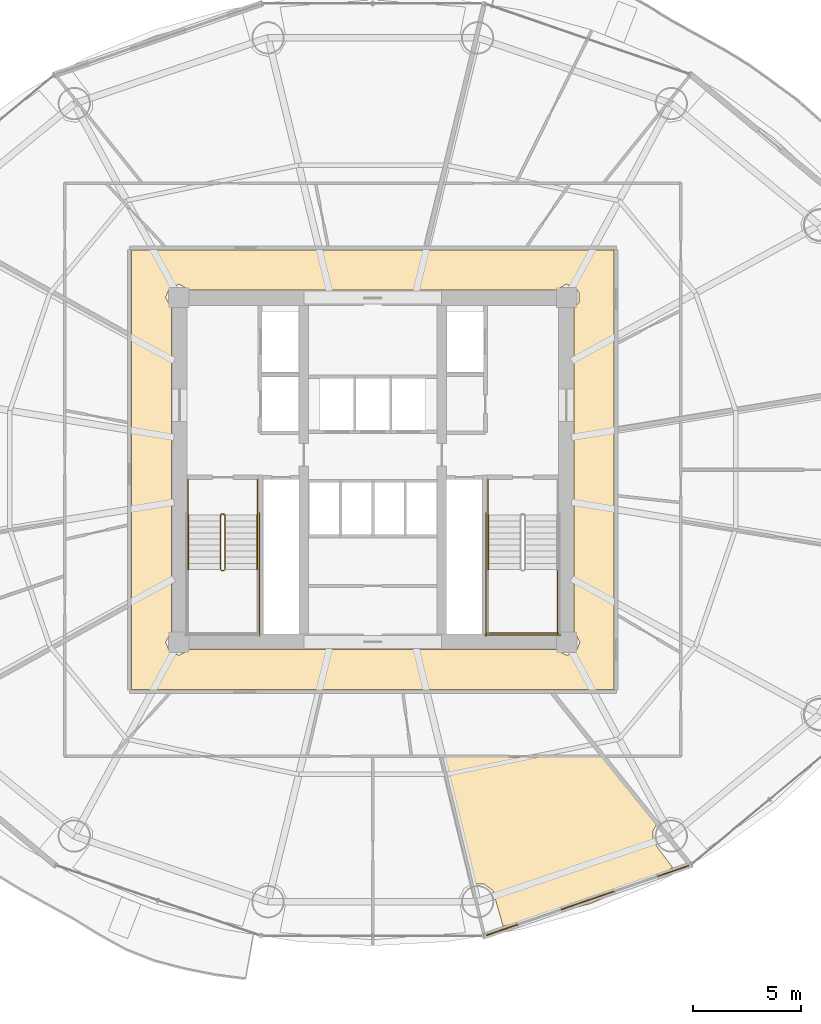
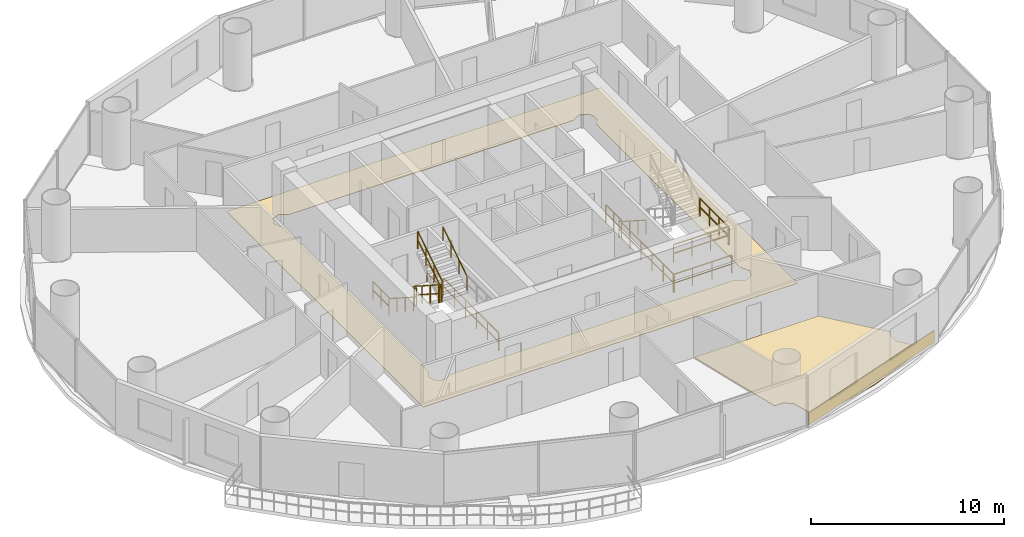
# One storey, part 27 of 29: 15 railings, 3 coverings.
"""IFC4 building model written with IfcOpenShell, lengths in metres."""

from ifc_helpers import new_model, si_unit, direction, frame, origin, origin_2d, place, context, subcontext, project, spatial, polyline, rectangle, outline, extrude, source, transform, mapped, material, layer, layer_set, type_object, element, save


model = new_model("IFC4")

# Units and contexts
model_context = context("Model", 3, precision=1e-05, world=origin(), true_north=direction((-0.2419218956, 0.970295726276)))
body_context = subcontext(model_context, "Body", "Model", "MODEL_VIEW")
ifc_project = project(units=[si_unit("LENGTHUNIT", "METRE"), si_unit("AREAUNIT", "SQUARE_METRE"), si_unit("VOLUMEUNIT", "CUBIC_METRE"), si_unit("PLANEANGLEUNIT", "RADIAN"), si_unit("MASSUNIT", "GRAM", prefix="KILO")], contexts=[model_context])

# Site, building, storey
site_placement = place(None, origin())
site = spatial("IfcSite", under=ifc_project, at=site_placement, CompositionType="ELEMENT")
building_placement = place(site_placement, origin())
building = spatial("IfcBuilding", under=site, at=building_placement, Name="Cobrevalo Terracotta Tower", CompositionType="ELEMENT")
storey_placement = place(building_placement, frame((0.0, 0.0, 123.0)))
storey = spatial("IfcBuildingStorey", under=building, at=storey_placement, Name="L32", CompositionType="ELEMENT", Elevation=123.0)

# Coverings
ifc_material_1 = material(Name="Engineered Brazilian hardwood flooring", Category="wood")
ifc_layer_1 = layer(ifc_material_1, 0.028076171875)
ifc_layer_set_1 = layer_set([ifc_layer_1], Name="Engineered Brazilian hardwood flooring")
covering_type_1 = type_object("IfcCoveringType", Name="Engineered Hardwood Suite Flooring 28", PredefinedType="FLOORING", material=ifc_layer_set_1)
covering_1_placement = place(storey_placement, origin())
element("IfcCovering", 1, at=covering_1_placement, inside=storey, type_object=covering_type_1, Name="Flat L32D Penthouse Family Lounge floor finish", PredefinedType="FLOORING", context=body_context, shape_type="SweptSolid", body=[
    extrude(outline(polyline([(44.05078125, 5.59814453125), (43.578125, 7.261962890625), (43.170166015625, 7.5693359375), (42.62109375, 7.584716796875), (41.210693359375, 13.47509765625), (48.690673828125, 13.47509765625), (51.193359375, 10.36328125), (51.02001953125, 10.0546875), (51.0185546875, 9.543701171875), (51.92431640625, 8.32666015625), (51.161376953125, 7.904052734375), (48.073486328125, 6.641357421875), (44.05078125, 5.59814453125)])), origin(), (0.0, 0.0, 1.0), 0.030029296875),
])
ifc_material_2 = material(Name="Honed terracotta and granite tile", Category="masonry")
ifc_layer_2 = layer(ifc_material_2, 0.034912109375)
ifc_layer_set_2 = layer_set([ifc_layer_2], Name="Honed terracotta and granite tile")
covering_type_2 = type_object("IfcCoveringType", Name="Honed Terracotta & Granite Interior Flooring 35", PredefinedType="FLOORING", material=ifc_layer_set_2)
covering_2_placement = place(storey_placement, origin())
element("IfcCovering", 2, at=covering_2_placement, inside=storey, type_object=covering_type_2, Name="L32 Residential Floor Corridor floor finish", PredefinedType="FLOORING", context=body_context, shape_type="SweptSolid", body=[
    extrude(outline(polyline([(49.205078125, 37.0048828125), (49.205078125, 16.594970703125), (26.794921875, 16.594970703125), (26.794921875, 37.0048828125), (49.205078125, 37.0048828125)]), holes=[polyline([(47.344970703125, 34.298828125), (47.5732421875, 34.5625), (47.5732421875, 35.037353515625), (47.438720703125, 35.23876953125), (47.0, 35.42041015625), (46.498779296875, 35.14501953125), (29.501220703125, 35.14501953125), (29.0, 35.42041015625), (28.561279296875, 35.23876953125), (28.379638671875, 34.800048828125), (28.655029296875, 34.298828125), (28.655029296875, 19.30126953125), (28.379638671875, 18.800048828125), (28.561279296875, 18.361328125), (29.0, 18.1796875), (29.501220703125, 18.455078125), (46.498779296875, 18.455078125), (47.0, 18.1796875), (47.438720703125, 18.361328125), (47.620361328125, 18.800048828125), (47.344970703125, 19.30126953125), (47.344970703125, 34.298828125)])]), origin(), (0.0, 0.0, 1.0), 0.030029296875),
])

# Railings
ifc_material_3 = material(Name="Brushed stainless steel", Category="steel")
railing_type_1 = type_object("IfcRailingType", Name="Stainless Steel Stair Handrail 900", PredefinedType="HANDRAIL", material=ifc_material_3)
railing_1_placement = place(storey_placement, frame((29.425048828125, 24.699951171875, 0.179931640625)))
element("IfcRailing", 3, at=railing_1_placement, inside=storey, type_object=railing_type_1, Name="L32 ST-1 stair handrail 1", PredefinedType="HANDRAIL", context=body_context, shape_type="SweptSolid", body=[
    extrude(rectangle(XDim=0.048095703125, YDim=0.048095703125, at=origin_2d()), frame((0.0, 0.0, 0.8759765625), z_axis=(0.0, -0.841162588446, 0.540782303519), x_axis=(1.0, 0.0, 0.0)), (0.0, 0.0, 1.0), 2.995849609375),
    extrude(rectangle(XDim=0.0419921875, YDim=0.0419921875, at=origin_2d()), origin(), (0.0, 0.0, 1.0), 0.851806640625),
    extrude(rectangle(XDim=0.0419921875, YDim=0.0419921875, at=origin_2d()), frame((0.0, -0.840087890625, 0.5400390625)), (0.0, 0.0, 1.0), 0.851806640625),
    extrude(rectangle(XDim=0.0419921875, YDim=0.0419921875, at=origin_2d()), frame((0.0, -1.679931640625, 1.080078125)), (0.0, 0.0, 1.0), 0.851806640625),
    extrude(rectangle(XDim=0.0419921875, YDim=0.0419921875, at=origin_2d()), frame((0.0, -2.52001953125, 1.6201171875)), (0.0, 0.0, 1.0), 0.851806640625),
])
railing_2_placement = place(storey_placement, frame((32.64501953125, 22.179931640625, 1.97998046875)))
element("IfcRailing", 4, at=railing_2_placement, inside=storey, type_object=railing_type_1, Name="L32 ST-1 stair handrail 2", PredefinedType="HANDRAIL", context=body_context, shape_type="SweptSolid", body=[
    extrude(rectangle(XDim=0.048095703125, YDim=0.048095703125, at=origin_2d()), frame((0.0, 0.0, 0.8759765625), z_axis=(0.0, 0.841162588446, 0.540782303519), x_axis=(-1.0, 0.0, 0.0)), (0.0, 0.0, 1.0), 2.995849609375),
    extrude(rectangle(XDim=0.0419921875, YDim=0.0419921875, at=origin_2d()), origin(), (0.0, 0.0, 1.0), 0.851806640625),
    extrude(rectangle(XDim=0.0419921875, YDim=0.0419921875, at=origin_2d()), frame((0.0, 0.840087890625, 0.5400390625)), (0.0, 0.0, 1.0), 0.851806640625),
    extrude(rectangle(XDim=0.0419921875, YDim=0.0419921875, at=origin_2d()), frame((0.0, 1.679931640625, 1.080078125)), (0.0, 0.0, 1.0), 0.851806640625),
    extrude(rectangle(XDim=0.0419921875, YDim=0.0419921875, at=origin_2d()), frame((0.0, 2.52001953125, 1.6201171875)), (0.0, 0.0, 1.0), 0.851806640625),
])
railing_3_placement = place(storey_placement, frame((43.35498046875, 24.699951171875, 0.179931640625)))
element("IfcRailing", 5, at=railing_3_placement, inside=storey, type_object=railing_type_1, Name="L32 ST-2 stair handrail 1", PredefinedType="HANDRAIL", context=body_context, shape_type="SweptSolid", body=[
    extrude(rectangle(XDim=0.048095703125, YDim=0.048095703125, at=origin_2d()), frame((0.0, 0.0, 0.8759765625), z_axis=(0.0, -0.841162588446, 0.540782303519), x_axis=(1.0, 0.0, 0.0)), (0.0, 0.0, 1.0), 2.995849609375),
    extrude(rectangle(XDim=0.0419921875, YDim=0.0419921875, at=origin_2d()), origin(), (0.0, 0.0, 1.0), 0.851806640625),
    extrude(rectangle(XDim=0.0419921875, YDim=0.0419921875, at=origin_2d()), frame((0.0, -0.840087890625, 0.5400390625)), (0.0, 0.0, 1.0), 0.851806640625),
    extrude(rectangle(XDim=0.0419921875, YDim=0.0419921875, at=origin_2d()), frame((0.0, -1.679931640625, 1.080078125)), (0.0, 0.0, 1.0), 0.851806640625),
    extrude(rectangle(XDim=0.0419921875, YDim=0.0419921875, at=origin_2d()), frame((0.0, -2.52001953125, 1.6201171875)), (0.0, 0.0, 1.0), 0.851806640625),
])
ifc_material_4 = material(Name="Painted galvanized steel", Category="steel")
railing_type_2 = type_object("IfcRailingType", Name="Stair Well Guard Balustrade 1150", PredefinedType="GUARDRAIL", material=ifc_material_4)
railing_4_placement = place(storey_placement, frame((30.925048828125, 24.699951171875, 0.179931640625)))
element("IfcRailing", 6, at=railing_4_placement, inside=storey, type_object=railing_type_2, Name="L32 ST-1 stair guard 1", PredefinedType="GUARDRAIL", context=body_context, shape_type="SweptSolid", body=[
    extrude(rectangle(XDim=0.048095703125, YDim=0.048095703125, at=origin_2d()), frame((0.0, 0.0, 1.1259765625), z_axis=(0.0, -0.841162588446, 0.540782303519), x_axis=(1.0, 0.0, 0.0)), (0.0, 0.0, 1.0), 2.995849609375),
    extrude(rectangle(XDim=0.048095703125, YDim=0.048095703125, at=origin_2d()), frame((0.0, 0.0, 0.574951171875), z_axis=(0.0, -0.841162588446, 0.540782303519), x_axis=(1.0, 0.0, 0.0)), (0.0, 0.0, 1.0), 2.995849609375),
    extrude(rectangle(XDim=0.0419921875, YDim=0.0419921875, at=origin_2d()), origin(), (0.0, 0.0, 1.0), 1.101806640625),
    extrude(rectangle(XDim=0.0419921875, YDim=0.0419921875, at=origin_2d()), frame((0.0, -0.840087890625, 0.5400390625)), (0.0, 0.0, 1.0), 1.101806640625),
    extrude(rectangle(XDim=0.0419921875, YDim=0.0419921875, at=origin_2d()), frame((0.0, -1.679931640625, 1.080078125)), (0.0, 0.0, 1.0), 1.101806640625),
    extrude(rectangle(XDim=0.0419921875, YDim=0.0419921875, at=origin_2d()), frame((0.0, -2.52001953125, 1.6201171875)), (0.0, 0.0, 1.0), 1.101806640625),
])
railing_5_placement = place(storey_placement, frame((30.97509765625, 22.1298828125, 1.800048828125)))
element("IfcRailing", 7, at=railing_5_placement, inside=storey, type_object=railing_type_2, Name="L32 ST-1 stair guard 2", PredefinedType="GUARDRAIL", context=body_context, shape_type="SweptSolid", body=[
    extrude(rectangle(XDim=0.048095703125, YDim=0.048095703125, at=origin_2d()), frame((0.0, 0.0, 1.1259765625), z_axis=(1.0, 0.0, 0.0), x_axis=(0.0, 1.0, 0.0)), (0.0, 0.0, 1.0), 0.119873046875),
    extrude(rectangle(XDim=0.048095703125, YDim=0.048095703125, at=origin_2d()), frame((0.0, 0.0, 0.574951171875), z_axis=(1.0, 0.0, 0.0), x_axis=(0.0, 1.0, 0.0)), (0.0, 0.0, 1.0), 0.119873046875),
    extrude(rectangle(XDim=0.0419921875, YDim=0.0419921875, at=origin_2d()), origin(), (0.0, 0.0, 1.0), 1.101806640625),
    extrude(rectangle(XDim=0.0419921875, YDim=0.0419921875, at=origin_2d()), frame((0.119873046875, 0.0, 0.0)), (0.0, 0.0, 1.0), 1.101806640625),
])
railing_6_placement = place(storey_placement, frame((31.14501953125, 22.179931640625, 1.97998046875)))
element("IfcRailing", 8, at=railing_6_placement, inside=storey, type_object=railing_type_2, Name="L32 ST-1 stair guard 6", PredefinedType="GUARDRAIL", context=body_context, shape_type="SweptSolid", body=[
    extrude(rectangle(XDim=0.048095703125, YDim=0.048095703125, at=origin_2d()), frame((0.0, 0.0, 1.1259765625), z_axis=(0.0, 0.841162588446, 0.540782303519), x_axis=(-1.0, 0.0, 0.0)), (0.0, 0.0, 1.0), 2.995849609375),
    extrude(rectangle(XDim=0.048095703125, YDim=0.048095703125, at=origin_2d()), frame((0.0, 0.0, 0.574951171875), z_axis=(0.0, 0.841162588446, 0.540782303519), x_axis=(-1.0, 0.0, 0.0)), (0.0, 0.0, 1.0), 2.995849609375),
    extrude(rectangle(XDim=0.0419921875, YDim=0.0419921875, at=origin_2d()), origin(), (0.0, 0.0, 1.0), 1.101806640625),
    extrude(rectangle(XDim=0.0419921875, YDim=0.0419921875, at=origin_2d()), frame((0.0, 0.840087890625, 0.5400390625)), (0.0, 0.0, 1.0), 1.101806640625),
    extrude(rectangle(XDim=0.0419921875, YDim=0.0419921875, at=origin_2d()), frame((0.0, 1.679931640625, 1.080078125)), (0.0, 0.0, 1.0), 1.101806640625),
    extrude(rectangle(XDim=0.0419921875, YDim=0.0419921875, at=origin_2d()), frame((0.0, 2.52001953125, 1.6201171875)), (0.0, 0.0, 1.0), 1.101806640625),
])
railing_7_placement = place(storey_placement, frame((30.97509765625, 24.75, 0.0)))
element("IfcRailing", 9, at=railing_7_placement, inside=storey, type_object=railing_type_2, Name="L32 ST-1 stair guard 7", PredefinedType="GUARDRAIL", context=body_context, shape_type="SweptSolid", body=[
    extrude(rectangle(XDim=0.048095703125, YDim=0.048095703125, at=origin_2d()), frame((0.0, 0.0, 1.1259765625), z_axis=(1.0, 0.0, 0.0), x_axis=(0.0, 1.0, 0.0)), (0.0, 0.0, 1.0), 0.119873046875),
    extrude(rectangle(XDim=0.048095703125, YDim=0.048095703125, at=origin_2d()), frame((0.0, 0.0, 0.574951171875), z_axis=(1.0, 0.0, 0.0), x_axis=(0.0, 1.0, 0.0)), (0.0, 0.0, 1.0), 0.119873046875),
    extrude(rectangle(XDim=0.0419921875, YDim=0.0419921875, at=origin_2d()), origin(), (0.0, 0.0, 1.0), 1.101806640625),
    extrude(rectangle(XDim=0.0419921875, YDim=0.0419921875, at=origin_2d()), frame((0.119873046875, 0.0, 0.0)), (0.0, 0.0, 1.0), 1.101806640625),
])
for number, where, name in (
    (10, (29.425048828125, 26.35009765625, 0.0), "L32 ST-1 stair guard 8"),
    (11, (32.64501953125, 26.35009765625, 0.0), "L32 ST-1 stair guard 9"),
):
    element("IfcRailing", number, at=place(storey_placement, frame(where)), inside=storey, type_object=railing_type_2, Name=name, PredefinedType="GUARDRAIL", context=body_context, shape_type="SweptSolid", body=[
        extrude(rectangle(XDim=0.048095703125, YDim=0.048095703125, at=origin_2d()), frame((0.0, 0.0, 1.1259765625), z_axis=(0.0, -1.0, 0.0), x_axis=(1.0, 0.0, 0.0)), (0.0, 0.0, 1.0), 1.650146484375),
        extrude(rectangle(XDim=0.048095703125, YDim=0.048095703125, at=origin_2d()), frame((0.0, 0.0, 0.574951171875), z_axis=(0.0, -1.0, 0.0), x_axis=(1.0, 0.0, 0.0)), (0.0, 0.0, 1.0), 1.650146484375),
        extrude(rectangle(XDim=0.0419921875, YDim=0.0419921875, at=origin_2d()), origin(), (0.0, 0.0, 1.0), 1.101806640625),
        extrude(rectangle(XDim=0.0419921875, YDim=0.0419921875, at=origin_2d()), frame((0.0, -0.8251953125, 0.0)), (0.0, 0.0, 1.0), 1.101806640625),
        extrude(rectangle(XDim=0.0419921875, YDim=0.0419921875, at=origin_2d()), frame((0.0, -1.650146484375, 0.0)), (0.0, 0.0, 1.0), 1.101806640625),
    ])
railing_8_placement = place(storey_placement, frame((32.7451171875, 24.800048828125, 0.0)))
element("IfcRailing", 12, at=railing_8_placement, inside=storey, type_object=railing_type_2, Name="L32 ST-1 stair guard 11", PredefinedType="GUARDRAIL", context=body_context, shape_type="SweptSolid", body=[
    extrude(rectangle(XDim=0.048095703125, YDim=0.048095703125, at=origin_2d()), frame((0.0, 0.0, 1.1259765625), z_axis=(0.0, -1.0, 0.0), x_axis=(1.0, 0.0, 0.0)), (0.0, 0.0, 1.0), 5.72509765625),
    extrude(rectangle(XDim=0.048095703125, YDim=0.048095703125, at=origin_2d()), frame((0.0, 0.0, 0.574951171875), z_axis=(0.0, -1.0, 0.0), x_axis=(1.0, 0.0, 0.0)), (0.0, 0.0, 1.0), 5.72509765625),
    extrude(rectangle(XDim=0.0419921875, YDim=0.0419921875, at=origin_2d()), origin(), (0.0, 0.0, 1.0), 1.101806640625),
    extrude(rectangle(XDim=0.0419921875, YDim=0.0419921875, at=origin_2d()), frame((0.0, -1.14501953125, 0.0)), (0.0, 0.0, 1.0), 1.101806640625),
    extrude(rectangle(XDim=0.0419921875, YDim=0.0419921875, at=origin_2d()), frame((0.0, -2.2900390625, 0.0)), (0.0, 0.0, 1.0), 1.101806640625),
    extrude(rectangle(XDim=0.0419921875, YDim=0.0419921875, at=origin_2d()), frame((0.0, -3.43505859375, 0.0)), (0.0, 0.0, 1.0), 1.101806640625),
    extrude(rectangle(XDim=0.0419921875, YDim=0.0419921875, at=origin_2d()), frame((0.0, -4.580078125, 0.0)), (0.0, 0.0, 1.0), 1.101806640625),
    extrude(rectangle(XDim=0.0419921875, YDim=0.0419921875, at=origin_2d()), frame((0.0, -5.72509765625, 0.0)), (0.0, 0.0, 1.0), 1.101806640625),
])
railing_9_placement = place(storey_placement, frame((46.574951171875, 22.179931640625, 1.800048828125)))
element("IfcRailing", 13, at=railing_9_placement, inside=storey, type_object=railing_type_2, Name="L32 ST-2 stair guard 4", PredefinedType="GUARDRAIL", context=body_context, shape_type="SweptSolid", body=[
    extrude(rectangle(XDim=0.048095703125, YDim=0.048095703125, at=origin_2d()), frame((0.0, 0.0, 1.1259765625), z_axis=(0.0, -1.0, 0.0), x_axis=(1.0, 0.0, 0.0)), (0.0, 0.0, 1.0), 3.0048828125),
    extrude(rectangle(XDim=0.048095703125, YDim=0.048095703125, at=origin_2d()), frame((0.0, 0.0, 0.574951171875), z_axis=(0.0, -1.0, 0.0), x_axis=(1.0, 0.0, 0.0)), (0.0, 0.0, 1.0), 3.0048828125),
    extrude(rectangle(XDim=0.0419921875, YDim=0.0419921875, at=origin_2d()), origin(), (0.0, 0.0, 1.0), 1.101806640625),
    extrude(rectangle(XDim=0.0419921875, YDim=0.0419921875, at=origin_2d()), frame((0.0, -1.001708984375, 0.0)), (0.0, 0.0, 1.0), 1.101806640625),
    extrude(rectangle(XDim=0.0419921875, YDim=0.0419921875, at=origin_2d()), frame((0.0, -2.003173828125, 0.0)), (0.0, 0.0, 1.0), 1.101806640625),
    extrude(rectangle(XDim=0.0419921875, YDim=0.0419921875, at=origin_2d()), frame((0.0, -3.0048828125, 0.0)), (0.0, 0.0, 1.0), 1.101806640625),
])
railing_10_placement = place(storey_placement, frame((43.304931640625, 19.22509765625, 1.800048828125)))
element("IfcRailing", 14, at=railing_10_placement, inside=storey, type_object=railing_type_2, Name="L32 ST-2 stair guard 5", PredefinedType="GUARDRAIL", context=body_context, shape_type="SweptSolid", body=[
    extrude(rectangle(XDim=0.048095703125, YDim=0.048095703125, at=origin_2d()), frame((0.0, 0.0, 1.1259765625), z_axis=(1.0, 0.0, 0.0), x_axis=(0.0, 1.0, 0.0)), (0.0, 0.0, 1.0), 3.320068359375),
    extrude(rectangle(XDim=0.048095703125, YDim=0.048095703125, at=origin_2d()), frame((0.0, 0.0, 0.574951171875), z_axis=(1.0, 0.0, 0.0), x_axis=(0.0, 1.0, 0.0)), (0.0, 0.0, 1.0), 3.320068359375),
    extrude(rectangle(XDim=0.0419921875, YDim=0.0419921875, at=origin_2d()), origin(), (0.0, 0.0, 1.0), 1.101806640625),
    extrude(rectangle(XDim=0.0419921875, YDim=0.0419921875, at=origin_2d()), frame((1.106689453125, 0.0, 0.0)), (0.0, 0.0, 1.0), 1.101806640625),
    extrude(rectangle(XDim=0.0419921875, YDim=0.0419921875, at=origin_2d()), frame((2.21337890625, 0.0, 0.0)), (0.0, 0.0, 1.0), 1.101806640625),
    extrude(rectangle(XDim=0.0419921875, YDim=0.0419921875, at=origin_2d()), frame((3.320068359375, 0.0, 0.0)), (0.0, 0.0, 1.0), 1.101806640625),
])
railing_11_placement = place(storey_placement, frame((43.35498046875, 26.35009765625, 0.0)))
element("IfcRailing", 15, at=railing_11_placement, inside=storey, type_object=railing_type_2, Name="L32 ST-2 stair guard 8", PredefinedType="GUARDRAIL", context=body_context, shape_type="SweptSolid", body=[
    extrude(rectangle(XDim=0.048095703125, YDim=0.048095703125, at=origin_2d()), frame((0.0, 0.0, 1.1259765625), z_axis=(0.0, -1.0, 0.0), x_axis=(1.0, 0.0, 0.0)), (0.0, 0.0, 1.0), 1.650146484375),
    extrude(rectangle(XDim=0.048095703125, YDim=0.048095703125, at=origin_2d()), frame((0.0, 0.0, 0.574951171875), z_axis=(0.0, -1.0, 0.0), x_axis=(1.0, 0.0, 0.0)), (0.0, 0.0, 1.0), 1.650146484375),
    extrude(rectangle(XDim=0.0419921875, YDim=0.0419921875, at=origin_2d()), origin(), (0.0, 0.0, 1.0), 1.101806640625),
    extrude(rectangle(XDim=0.0419921875, YDim=0.0419921875, at=origin_2d()), frame((0.0, -0.8251953125, 0.0)), (0.0, 0.0, 1.0), 1.101806640625),
    extrude(rectangle(XDim=0.0419921875, YDim=0.0419921875, at=origin_2d()), frame((0.0, -1.650146484375, 0.0)), (0.0, 0.0, 1.0), 1.101806640625),
])
railing_12_placement = place(storey_placement, frame((43.2548828125, 24.800048828125, 0.0)))
element("IfcRailing", 16, at=railing_12_placement, inside=storey, type_object=railing_type_2, Name="L32 ST-2 stair guard 10", PredefinedType="GUARDRAIL", context=body_context, shape_type="SweptSolid", body=[
    extrude(rectangle(XDim=0.048095703125, YDim=0.048095703125, at=origin_2d()), frame((0.0, 0.0, 1.1259765625), z_axis=(0.0, -1.0, 0.0), x_axis=(1.0, 0.0, 0.0)), (0.0, 0.0, 1.0), 5.72509765625),
    extrude(rectangle(XDim=0.048095703125, YDim=0.048095703125, at=origin_2d()), frame((0.0, 0.0, 0.574951171875), z_axis=(0.0, -1.0, 0.0), x_axis=(1.0, 0.0, 0.0)), (0.0, 0.0, 1.0), 5.72509765625),
    extrude(rectangle(XDim=0.0419921875, YDim=0.0419921875, at=origin_2d()), origin(), (0.0, 0.0, 1.0), 1.101806640625),
    extrude(rectangle(XDim=0.0419921875, YDim=0.0419921875, at=origin_2d()), frame((0.0, -1.14501953125, 0.0)), (0.0, 0.0, 1.0), 1.101806640625),
    extrude(rectangle(XDim=0.0419921875, YDim=0.0419921875, at=origin_2d()), frame((0.0, -2.2900390625, 0.0)), (0.0, 0.0, 1.0), 1.101806640625),
    extrude(rectangle(XDim=0.0419921875, YDim=0.0419921875, at=origin_2d()), frame((0.0, -3.43505859375, 0.0)), (0.0, 0.0, 1.0), 1.101806640625),
    extrude(rectangle(XDim=0.0419921875, YDim=0.0419921875, at=origin_2d()), frame((0.0, -4.580078125, 0.0)), (0.0, 0.0, 1.0), 1.101806640625),
    extrude(rectangle(XDim=0.0419921875, YDim=0.0419921875, at=origin_2d()), frame((0.0, -5.72509765625, 0.0)), (0.0, 0.0, 1.0), 1.101806640625),
])
railing_13_placement = place(storey_placement, frame((43.205078125, 19.125, 0.0)))
element("IfcRailing", 17, at=railing_13_placement, inside=storey, type_object=railing_type_2, Name="L32 ST-2 stair guard 12", PredefinedType="GUARDRAIL", context=body_context, shape_type="SweptSolid", body=[
    extrude(rectangle(XDim=0.048095703125, YDim=0.048095703125, at=origin_2d()), frame((0.0, 0.0, 1.1259765625), z_axis=(1.0, 0.0, 0.0), x_axis=(0.0, 1.0, 0.0)), (0.0, 0.0, 1.0), 3.52001953125),
    extrude(rectangle(XDim=0.048095703125, YDim=0.048095703125, at=origin_2d()), frame((0.0, 0.0, 0.574951171875), z_axis=(1.0, 0.0, 0.0), x_axis=(0.0, 1.0, 0.0)), (0.0, 0.0, 1.0), 3.52001953125),
    extrude(rectangle(XDim=0.0419921875, YDim=0.0419921875, at=origin_2d()), origin(), (0.0, 0.0, 1.0), 1.101806640625),
    extrude(rectangle(XDim=0.0419921875, YDim=0.0419921875, at=origin_2d()), frame((1.17333984375, 0.0, 0.0)), (0.0, 0.0, 1.0), 1.101806640625),
    extrude(rectangle(XDim=0.0419921875, YDim=0.0419921875, at=origin_2d()), frame((2.3466796875, 0.0, 0.0)), (0.0, 0.0, 1.0), 1.101806640625),
    extrude(rectangle(XDim=0.0419921875, YDim=0.0419921875, at=origin_2d()), frame((3.52001953125, 0.0, 0.0)), (0.0, 0.0, 1.0), 1.101806640625),
])

# Covering
ifc_material_5 = material(Name="Glazed terracotta facade cladding tile", Category="masonry")
ifc_layer_3 = layer(ifc_material_5, 0.044921875)
ifc_layer_set_3 = layer_set([ifc_layer_3], Name="Glazed terracotta facade cladding tile")
covering_type_3 = type_object("IfcCoveringType", Name="Architectural terracotta rainscreen spandrel cladding 45 mm", PredefinedType="CLADDING", material=ifc_layer_set_3)
shared_shape = source(origin(), body_context, "Body", "SweptSolid", [
    extrude(rectangle(XDim=9.928955078125, YDim=0.044921875, at=origin_2d()), origin(), (0.0, 0.0, 1.0), 0.760009765625),
])
covering_3_placement = place(storey_placement, frame((47.972412109375, 6.8017578125, 0.0400390625), z_axis=(0.0, 0.0, 1.0), x_axis=(0.945596395206, 0.325342062104, 0.0)))
element("IfcCovering", 18, at=covering_3_placement, inside=storey, type_object=covering_type_3, Name="L32 terracotta spandrel cladding S13", PredefinedType="CLADDING", context=body_context, shape_type="MappedRepresentation", body=[
    mapped(shared_shape, transform((0.0, 0.0, 0.0), scale=1.0)),
])

save(model, "model.ifc")
